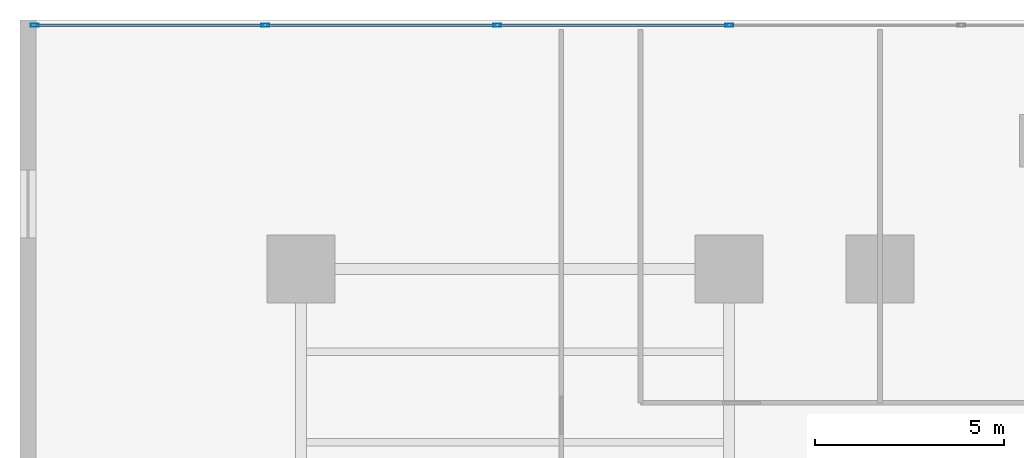
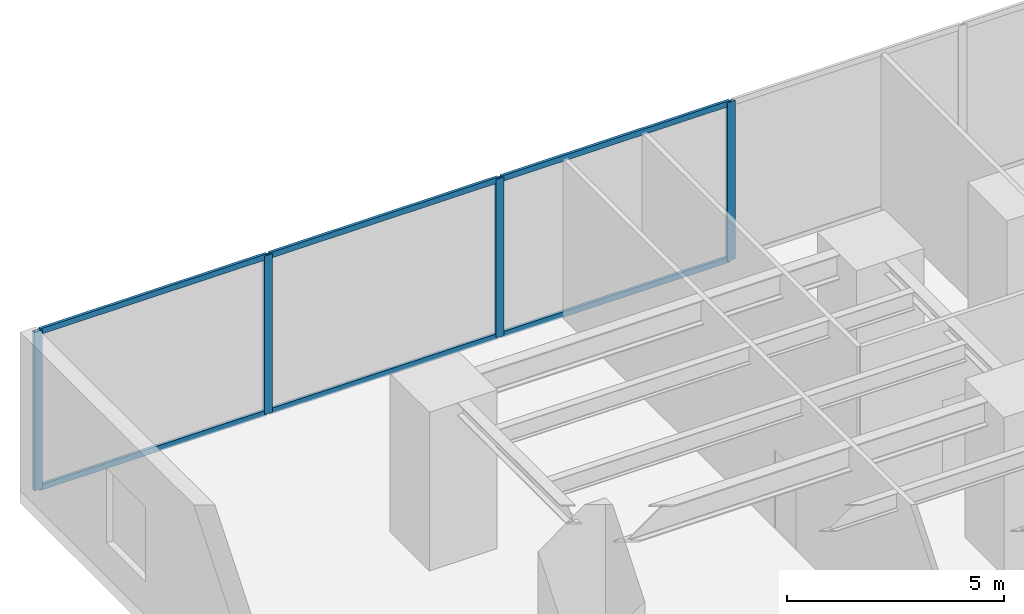
# One storey, part 3 of 16: 10 members, 1 element without a shape of its own.
"""IFC4 building model written with IfcOpenShell, lengths in metres."""

from ifc_helpers import new_model, si_unit, direction, frame, origin, origin_with_axes, origin_2d, place, context, subcontext, project, spatial, hollow_rectangle, extrude, source, transform, mapped, material, layer, layer_set, material_profile, profile_set, type_object, element, aggregate, save


model = new_model("IFC4")

# Units and contexts
model_context = context("Model", 3, precision=1e-05, world=origin(), true_north=direction((0.0, 1.0)))
body_context = subcontext(model_context, "Body", "Model", "MODEL_VIEW")
ifc_project = project(units=[si_unit("LENGTHUNIT", "METRE"), si_unit("AREAUNIT", "SQUARE_METRE"), si_unit("VOLUMEUNIT", "CUBIC_METRE"), si_unit("PLANEANGLEUNIT", "RADIAN"), si_unit("MASSUNIT", "GRAM", prefix="KILO")], contexts=[model_context])

# Site, building, storey
site_placement = place(None, origin())
site = spatial("IfcSite", under=ifc_project, at=site_placement, CompositionType="ELEMENT")
building_placement = place(site_placement, origin())
building = spatial("IfcBuilding", under=site, at=building_placement, Name="Kolvaren Waterfront Exchange", CompositionType="ELEMENT")
storey_placement = place(building_placement, frame((0.0, 0.0, 10.39990234375)))
storey = spatial("IfcBuildingStorey", under=building, at=storey_placement, Name="L03", CompositionType="ELEMENT", Elevation=10.39990234375)

# Curtain wall, members
ifc_material_1 = material(Name="Anodised bronze aluminium 6063-T6", Category="aluminium")
ifc_layer = layer(ifc_material_1, 0.219970703125, Name="Anodised bronze aluminium 6063-T6")
ifc_layer_set = layer_set([ifc_layer], Name="Anodised bronze aluminium 6063-T6")
curtain_wall_type = type_object("IfcCurtainWallType", Name="ARC-CW-SYS1", PredefinedType="USERDEFINED", material=ifc_layer_set)
curtain_wall_placement = place(storey_placement, origin())
curtain_wall = element("IfcCurtainWall", 1, at=curtain_wall_placement, inside=storey, type_object=curtain_wall_type, Name="L03 stick curtain wall CW1 (CW-L03-N2)", ObjectType="STICK CURTAIN WALL", PredefinedType="USERDEFINED")
ifc_material_2 = material(Name="Anodised aluminium 6063-T6", Category="aluminium")
ifc_material_profile_1 = material_profile(ifc_material_2, hollow_rectangle(XDim=0.074951171875, YDim=0.159912109375, WallThickness=0.00439453125, at=origin_2d()), Name="ALU-TRN-160x75x4.5")
ifc_profile_set_1 = profile_set([ifc_material_profile_1], Name="Anodised aluminium 6063-T6")
member_type_1 = type_object("IfcMemberType", Name="ARC-CWT-160", PredefinedType="USERDEFINED", material=ifc_profile_set_1)
shared_shape_1 = source(origin_with_axes(), body_context, "Body", "SweptSolid", [
    extrude(hollow_rectangle(XDim=0.074951171875, YDim=0.159912109375, WallThickness=0.00439453125, at=origin_2d()), origin(), (0.0, 0.0, 1.0), 6.071533203125),
])
member_1_placement = place(storey_placement, frame((18.764892578125, 51.06005859375, 0.03759765625), z_axis=(-1.0, 0.0, 0.0), x_axis=(0.0, -1.0, 0.0)))
member_1 = element("IfcMember", 2, at=member_1_placement, type_object=member_type_1, Name="CW1 transom 4.1", ObjectType="TRANSOM", PredefinedType="USERDEFINED", context=body_context, shape_type="MappedRepresentation", body=[
    mapped(shared_shape_1, transform((0.0, 0.0, 0.0), x_axis=(1.0, 0.0, 0.0), y_axis=(0.0, 1.0, 0.0), z_axis=(0.0, 0.0, 1.0), scale=1.0)),
])
member_2_placement = place(storey_placement, frame((18.764892578125, 51.06005859375, 4.422607421875), z_axis=(-1.0, 0.0, 0.0), x_axis=(0.0, -1.0, 0.0)))
member_2 = element("IfcMember", 3, at=member_2_placement, type_object=member_type_1, Name="CW1 transom 4.2", ObjectType="TRANSOM", PredefinedType="USERDEFINED", context=body_context, shape_type="MappedRepresentation", body=[
    mapped(shared_shape_1, transform((0.0, 0.0, 0.0), x_axis=(1.0, 0.0, 0.0), y_axis=(0.0, 1.0, 0.0), z_axis=(0.0, 0.0, 1.0), scale=1.0)),
])
member_3_placement = place(storey_placement, frame((12.61328125, 51.06005859375, 0.03759765625), z_axis=(-1.0, 0.0, 0.0), x_axis=(0.0, -1.0, 0.0)))
member_3 = element("IfcMember", 4, at=member_3_placement, type_object=member_type_1, Name="CW1 transom 5.1", ObjectType="TRANSOM", PredefinedType="USERDEFINED", context=body_context, shape_type="MappedRepresentation", body=[
    mapped(shared_shape_1, transform((0.0, 0.0, 0.0), x_axis=(1.0, 0.0, 0.0), y_axis=(0.0, 1.0, 0.0), z_axis=(0.0, 0.0, 1.0), scale=1.0)),
])
member_4_placement = place(storey_placement, frame((12.61328125, 51.06005859375, 4.422607421875), z_axis=(-1.0, 0.0, 0.0), x_axis=(0.0, -1.0, 0.0)))
member_4 = element("IfcMember", 5, at=member_4_placement, type_object=member_type_1, Name="CW1 transom 5.2", ObjectType="TRANSOM", PredefinedType="USERDEFINED", context=body_context, shape_type="MappedRepresentation", body=[
    mapped(shared_shape_1, transform((0.0, 0.0, 0.0), x_axis=(1.0, 0.0, 0.0), y_axis=(0.0, 1.0, 0.0), z_axis=(0.0, 0.0, 1.0), scale=1.0)),
])
shared_shape_2 = source(origin_with_axes(), body_context, "Body", "SweptSolid", [
    extrude(hollow_rectangle(XDim=0.074951171875, YDim=0.159912109375, WallThickness=0.00439453125, at=origin_2d()), origin(), (0.0, 0.0, 1.0), 6.03173828125),
])
member_5_placement = place(storey_placement, frame((6.461669921875, 51.06005859375, 0.03759765625), z_axis=(-1.0, 0.0, 0.0), x_axis=(0.0, -1.0, 0.0)))
member_5 = element("IfcMember", 6, at=member_5_placement, type_object=member_type_1, Name="CW1 transom 6.1", ObjectType="TRANSOM", PredefinedType="USERDEFINED", context=body_context, shape_type="MappedRepresentation", body=[
    mapped(shared_shape_2, transform((0.0, 0.0, 0.0), x_axis=(1.0, 0.0, 0.0), y_axis=(0.0, 1.0, 0.0), z_axis=(0.0, 0.0, 1.0), scale=1.0)),
])
member_6_placement = place(storey_placement, frame((6.461669921875, 51.06005859375, 4.422607421875), z_axis=(-1.0, 0.0, 0.0), x_axis=(0.0, -1.0, 0.0)))
member_6 = element("IfcMember", 7, at=member_6_placement, type_object=member_type_1, Name="CW1 transom 6.2", ObjectType="TRANSOM", PredefinedType="USERDEFINED", context=body_context, shape_type="MappedRepresentation", body=[
    mapped(shared_shape_2, transform((0.0, 0.0, 0.0), x_axis=(1.0, 0.0, 0.0), y_axis=(0.0, 1.0, 0.0), z_axis=(0.0, 0.0, 1.0), scale=1.0)),
])
ifc_material_profile_2 = material_profile(ifc_material_2, hollow_rectangle(XDim=0.080078125, YDim=0.219970703125, WallThickness=0.0048828125, at=origin_2d()), Name="ALU-MUL-220x80x5")
ifc_profile_set_2 = profile_set([ifc_material_profile_2], Name="Anodised aluminium 6063-T6")
member_type_2 = type_object("IfcMemberType", Name="ARC-CWM-220", PredefinedType="MULLION", material=ifc_profile_set_2)
shared_shape_3 = source(origin_with_axes(), body_context, "Body", "SweptSolid", [
    extrude(hollow_rectangle(XDim=0.080078125, YDim=0.219970703125, WallThickness=0.0048828125, at=origin_2d()), origin(), (0.0, 0.0, 1.0), 4.460205078125),
])
member_7_placement = place(storey_placement, frame((18.804931640625, 51.06005859375, 0.0), z_axis=(0.0, 0.0, 1.0), x_axis=(0.0, -1.0, 0.0)))
member_7 = element("IfcMember", 8, at=member_7_placement, type_object=member_type_2, Name="CW1 mullion 4", PredefinedType="MULLION", context=body_context, shape_type="MappedRepresentation", body=[
    mapped(shared_shape_3, transform((0.0, 0.0, 0.0), x_axis=(1.0, 0.0, 0.0), y_axis=(0.0, 1.0, 0.0), z_axis=(0.0, 0.0, 1.0), scale=1.0)),
])
member_8_placement = place(storey_placement, frame((12.6533203125, 51.06005859375, 0.0), z_axis=(0.0, 0.0, 1.0), x_axis=(0.0, -1.0, 0.0)))
member_8 = element("IfcMember", 9, at=member_8_placement, type_object=member_type_2, Name="CW1 mullion 5", PredefinedType="MULLION", context=body_context, shape_type="MappedRepresentation", body=[
    mapped(shared_shape_3, transform((0.0, 0.0, 0.0), x_axis=(1.0, 0.0, 0.0), y_axis=(0.0, 1.0, 0.0), z_axis=(0.0, 0.0, 1.0), scale=1.0)),
])
member_9_placement = place(storey_placement, frame((6.501708984375, 51.06005859375, 0.0), z_axis=(0.0, 0.0, 1.0), x_axis=(0.0, -1.0, 0.0)))
member_9 = element("IfcMember", 10, at=member_9_placement, type_object=member_type_2, Name="CW1 mullion 6", PredefinedType="MULLION", context=body_context, shape_type="MappedRepresentation", body=[
    mapped(shared_shape_3, transform((0.0, 0.0, 0.0), x_axis=(1.0, 0.0, 0.0), y_axis=(0.0, 1.0, 0.0), z_axis=(0.0, 0.0, 1.0), scale=1.0)),
])
member_10_placement = place(storey_placement, frame((0.389892578125, 51.06005859375, 0.0), z_axis=(0.0, 0.0, 1.0), x_axis=(0.0, -1.0, 0.0)))
member_10 = element("IfcMember", 11, at=member_10_placement, type_object=member_type_2, Name="CW1 mullion 7", PredefinedType="MULLION", context=body_context, shape_type="MappedRepresentation", body=[
    mapped(shared_shape_3, transform((0.0, 0.0, 0.0), x_axis=(1.0, 0.0, 0.0), y_axis=(0.0, 1.0, 0.0), z_axis=(0.0, 0.0, 1.0), scale=1.0)),
])
aggregate(curtain_wall, [member_7, member_8, member_9, member_10, member_1, member_2, member_3, member_4, member_5, member_6])

save(model, "model.ifc")
